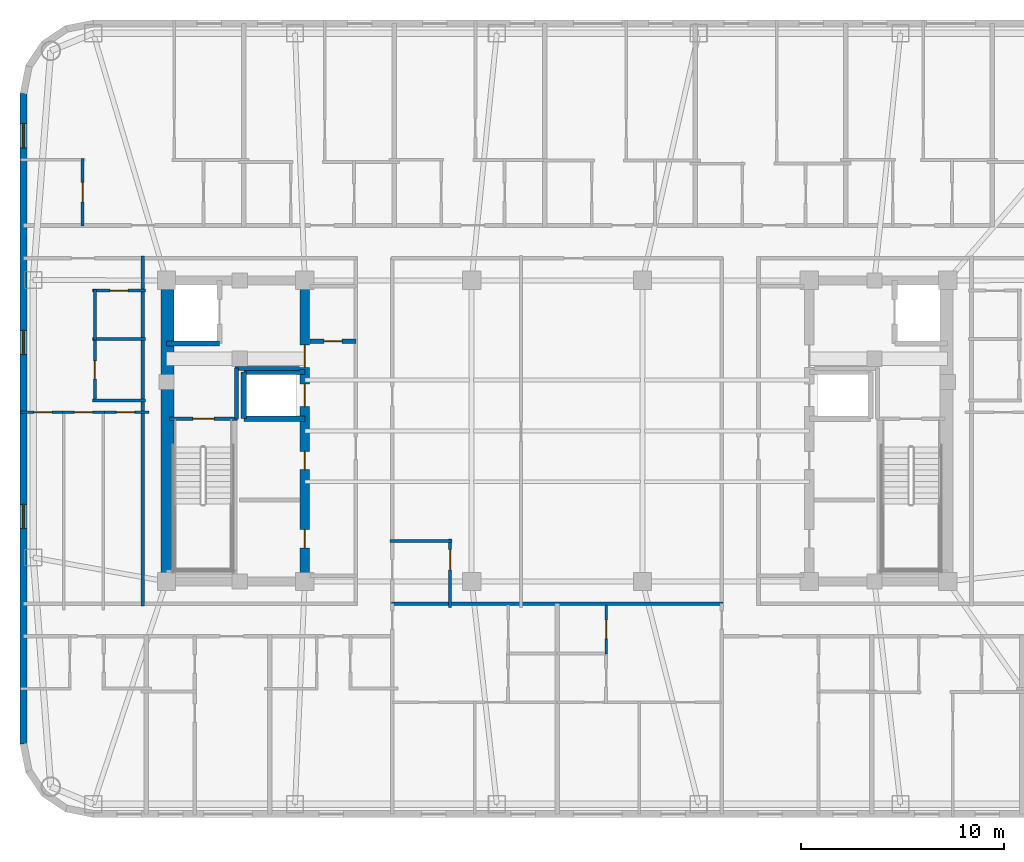
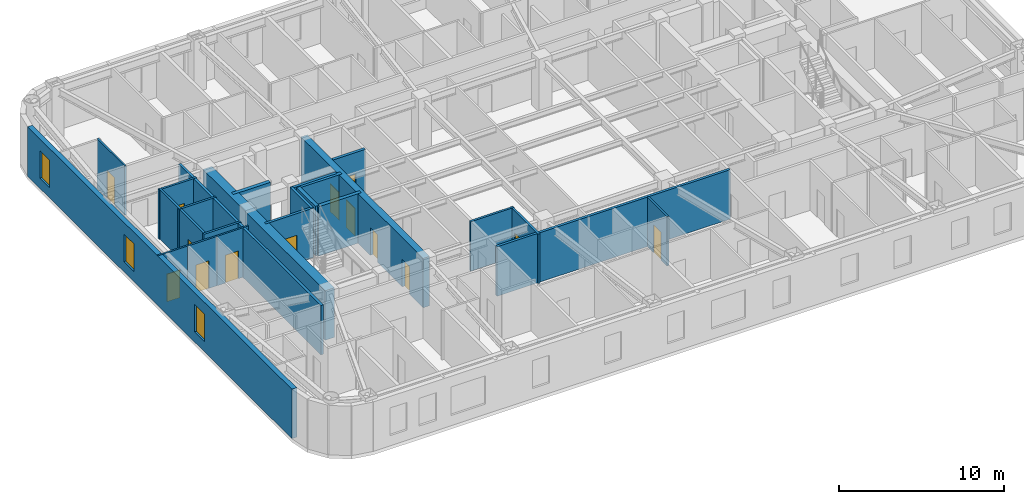
# One storey, part 4 of 11: 25 walls, 14 doors, 3 windows, 17 openings.
"""IFC4 building model written with IfcOpenShell, lengths in metres."""

from ifc_helpers import new_model, si_unit, direction, frame, frame_2d, origin, place, context, subcontext, project, spatial, rectangle, extrude, material, layer, layer_set, type_object, element, fill, save


model = new_model("IFC4")

# Units and contexts
model_context = context("Model", 3, precision=1e-05, world=origin(), true_north=direction((0.0, 1.0)))
body_context = subcontext(model_context, "Body", "Model", "MODEL_VIEW")
ifc_project = project(units=[si_unit("LENGTHUNIT", "METRE"), si_unit("AREAUNIT", "SQUARE_METRE"), si_unit("VOLUMEUNIT", "CUBIC_METRE"), si_unit("PLANEANGLEUNIT", "RADIAN"), si_unit("MASSUNIT", "GRAM", prefix="KILO")], contexts=[model_context])

# Site, building, storey
site_placement = place(None, origin())
site = spatial("IfcSite", under=ifc_project, at=site_placement, CompositionType="ELEMENT")
building_placement = place(site_placement, origin())
building = spatial("IfcBuilding", under=site, at=building_placement, Name="Voryun Gate Residences", CompositionType="ELEMENT")
storey_placement = place(building_placement, frame((0.0, 0.0, 235.300048828125)))
storey = spatial("IfcBuildingStorey", under=building, at=storey_placement, Name="L58", CompositionType="ELEMENT", Elevation=235.300048828125)

# Wall, openings, doors
ifc_material_1 = material(Name="Concrete C50/60", Category="concrete")
ifc_layer_1 = layer(ifc_material_1, 0.449951171875, Name="CW_CORE_450")
ifc_layer_set_1 = layer_set([ifc_layer_1], Name="Concrete C50/60")
wall_type_1 = type_object("IfcWallType", Name="CW_CORE_450", PredefinedType="SHEAR", material=ifc_layer_set_1)
wall_1_placement = place(storey_placement, frame((-12.39990234375, -7.39990234375, 0.0), z_axis=(0.0, 0.0, 1.0), x_axis=(0.0, 1.0, 0.0)))
wall_1 = element("IfcWall", 1, at=wall_1_placement, inside=storey, type_object=wall_type_1, Name="L58 Core shear wall CW-L58-WE", PredefinedType="SHEAR", context=body_context, shape_type="SweptSolid", body=[
    extrude(rectangle(XDim=14.7998046875, YDim=0.449951171875, at=frame_2d((7.39990234375, 0.0))), origin(), (0.0, 0.0, 1.0), 3.64990234375),
])
opening_1_placement = place(wall_1_placement, frame((8.60009765625, 0.0, 0.0)))
opening_1 = element("IfcOpeningElement", 2, at=opening_1_placement, cuts=wall_1, Name="Opening LD2", PredefinedType="OPENING", context=body_context, shape_type="SweptSolid", body=[
    extrude(rectangle(XDim=1.10009765625, YDim=2.050048828125, at=frame_2d((0.550048828125, 1.02490234375))), frame((0.0, 0.235107421875, 0.0), z_axis=(0.0, -1.0, 0.0), x_axis=(1.0, 0.0, 0.0)), (0.0, 0.0, 1.0), 0.469970703125),
])
opening_2_placement = place(wall_1_placement, frame((10.530029296875, 0.0, 0.0)))
opening_2 = element("IfcOpeningElement", 3, at=opening_2_placement, cuts=wall_1, Name="Opening D-FD60-2", PredefinedType="OPENING", context=body_context, shape_type="SweptSolid", body=[
    extrude(rectangle(XDim=1.10009765625, YDim=2.050048828125, at=frame_2d((0.550048828125, 1.02490234375))), frame((0.0, 0.235107421875, 0.0), z_axis=(0.0, -1.0, 0.0), x_axis=(1.0, 0.0, 0.0)), (0.0, 0.0, 1.0), 0.469970703125),
])
opening_3_placement = place(wall_1_placement, frame((1.64990234375, 0.0, 0.0)))
opening_3 = element("IfcOpeningElement", 4, at=opening_3_placement, cuts=wall_1, Name="Opening D-FD60-4", PredefinedType="OPENING", context=body_context, shape_type="SweptSolid", body=[
    extrude(rectangle(XDim=0.89990234375, YDim=2.050048828125, at=frame_2d((0.449951171875, 1.02490234375))), frame((0.0, 0.235107421875, 0.0), z_axis=(0.0, -1.0, 0.0), x_axis=(1.0, 0.0, 0.0)), (0.0, 0.0, 1.0), 0.469970703125),
])
opening_4_placement = place(wall_1_placement, frame((5.5, 0.0, 0.0)))
opening_4 = element("IfcOpeningElement", 5, at=opening_4_placement, cuts=wall_1, Name="Opening D-FD60-4", PredefinedType="OPENING", context=body_context, shape_type="SweptSolid", body=[
    extrude(rectangle(XDim=0.89990234375, YDim=2.050048828125, at=frame_2d((0.449951171875, 1.02490234375))), frame((0.0, 0.235107421875, 0.0), z_axis=(0.0, -1.0, 0.0), x_axis=(1.0, 0.0, 0.0)), (0.0, 0.0, 1.0), 0.469970703125),
])
ifc_material_2 = material(Name="Painted steel fire door", Category="steel")
door_type_1 = type_object("IfcDoorType", Name="DR_FD60_FFLOB_1100", OperationType="NOTDEFINED", PredefinedType="DOOR", material=ifc_material_2)
door_1_placement = place(opening_2_placement, origin())
door_1 = element("IfcDoor", 6, at=door_1_placement, inside=storey, type_object=door_type_1, Name="Door DR-L58-CLOB-W", OperationType="SINGLE_SWING_LEFT", OverallHeight=2.050048828125, OverallWidth=1.10009765625, PredefinedType="DOOR", context=body_context, shape_type="SweptSolid", body=[
    extrude(rectangle(XDim=1.10009765625, YDim=2.050048828125, at=frame_2d((0.550048828125, 1.02490234375))), frame((0.0, 0.02490234375, 0.0), z_axis=(0.0, -1.0, 0.0), x_axis=(1.0, 0.0, 0.0)), (0.0, 0.0, 1.0), 0.050048828125),
])
fill(opening_2, door_1)
ifc_material_3 = material(Name="Painted steel fire door", Category="steel")
door_type_2 = type_object("IfcDoorType", Name="DR_FD60_RISER_900", OperationType="NOTDEFINED", PredefinedType="DOOR", material=ifc_material_3)
door_2_placement = place(opening_3_placement, origin())
door_2 = element("IfcDoor", 7, at=door_2_placement, inside=storey, type_object=door_type_2, Name="Door DR-L58-RECW-HS", OperationType="SINGLE_SWING_LEFT", OverallHeight=2.050048828125, OverallWidth=0.89990234375, PredefinedType="DOOR", context=body_context, shape_type="SweptSolid", body=[
    extrude(rectangle(XDim=0.89990234375, YDim=2.050048828125, at=frame_2d((0.449951171875, 1.02490234375))), frame((0.0, 0.02490234375, 0.0), z_axis=(0.0, -1.0, 0.0), x_axis=(1.0, 0.0, 0.0)), (0.0, 0.0, 1.0), 0.050048828125),
])
fill(opening_3, door_2)
door_3_placement = place(opening_4_placement, origin())
door_3 = element("IfcDoor", 8, at=door_3_placement, inside=storey, type_object=door_type_2, Name="Door DR-L58-RECW-HN", OperationType="SINGLE_SWING_RIGHT", OverallHeight=2.050048828125, OverallWidth=0.89990234375, PredefinedType="DOOR", context=body_context, shape_type="SweptSolid", body=[
    extrude(rectangle(XDim=0.89990234375, YDim=2.050048828125, at=frame_2d((0.449951171875, 1.02490234375))), frame((0.0, 0.02490234375, 0.0), z_axis=(0.0, -1.0, 0.0), x_axis=(1.0, 0.0, 0.0)), (0.0, 0.0, 1.0), 0.050048828125),
])
fill(opening_4, door_3)
ifc_material_4 = material(Name="Anodised aluminium", Category="aluminium")
door_type_3 = type_object("IfcDoorType", Name="DR_LD_PASS_1100", OperationType="NOTDEFINED", PredefinedType="DOOR", material=ifc_material_4)
door_4_placement = place(opening_1_placement, origin())
door_4 = element("IfcDoor", 9, at=door_4_placement, inside=storey, type_object=door_type_3, Name="Lift EL-P7 sliding landing door L58", OperationType="SLIDING_TO_LEFT", OverallHeight=2.050048828125, OverallWidth=1.10009765625, PredefinedType="DOOR", context=body_context, shape_type="SweptSolid", body=[
    extrude(rectangle(XDim=1.10009765625, YDim=2.050048828125, at=frame_2d((0.550048828125, 1.02490234375))), frame((0.0, 0.02490234375, 0.0), z_axis=(0.0, -1.0, 0.0), x_axis=(1.0, 0.0, 0.0)), (0.0, 0.0, 1.0), 0.050048828125),
])
fill(opening_1, door_4)

# Wall
ifc_material_5 = material(Name="Concrete C60/75", Category="concrete")
ifc_layer_2 = layer(ifc_material_5, 0.64990234375, Name="CW_CORE_650")
ifc_layer_set_2 = layer_set([ifc_layer_2], Name="Concrete C60/75")
wall_type_2 = type_object("IfcWallType", Name="CW_CORE_650", PredefinedType="SHEAR", material=ifc_layer_set_2)
wall_2_placement = place(storey_placement, frame((-19.14501953125, -7.39990234375, 0.0), z_axis=(0.0, 0.0, 1.0), x_axis=(0.0, 1.0, 0.0)))
element("IfcWall", 10, at=wall_2_placement, inside=storey, type_object=wall_type_2, Name="L58 Core shear wall CW-L58-WW", PredefinedType="SHEAR", context=body_context, shape_type="SweptSolid", body=[
    extrude(rectangle(XDim=14.7998046875, YDim=0.64990234375, at=frame_2d((7.39990234375, 0.0))), origin(), (0.0, 0.0, 1.0), 3.64990234375),
])

# Wall, opening, door
ifc_material_6 = material(Name="Gypsum acoustic fireboard")
ifc_layer_3 = layer(ifc_material_6, 0.179931640625, Name="W_CORR_RATED_180")
ifc_layer_set_3 = layer_set([ifc_layer_3], Name="Gypsum acoustic fireboard")
wall_type_3 = type_object("IfcWallType", Name="W_CORR_RATED_180", PredefinedType="PARTITIONING", material=ifc_layer_set_3)
wall_3_placement = place(storey_placement, frame((-19.06005859375, 0.60009765625, 0.0), z_axis=(0.0, 0.0, 1.0), x_axis=(1.0, 0.0, 0.0)))
wall_3 = element("IfcWall", 11, at=wall_3_placement, inside=storey, type_object=wall_type_3, Name="Partition wall WP-L58-STV-W", PredefinedType="PARTITIONING", context=body_context, shape_type="SweptSolid", body=[
    extrude(rectangle(XDim=3.360107421875, YDim=0.179931640625, at=frame_2d((1.68017578125, 0.0))), origin(), (0.0, 0.0, 1.0), 3.64990234375),
])
opening_5_placement = place(wall_3_placement, frame((1.155029296875, 0.0, 0.0)))
opening_5 = element("IfcOpeningElement", 12, at=opening_5_placement, cuts=wall_3, Name="Opening D-FD60-1", PredefinedType="OPENING", context=body_context, shape_type="SweptSolid", body=[
    extrude(rectangle(XDim=1.050048828125, YDim=2.050048828125, at=frame_2d((0.52490234375, 1.02490234375))), frame((0.0, 0.099853515625, 0.0), z_axis=(0.0, -1.0, 0.0), x_axis=(1.0, 0.0, 0.0)), (0.0, 0.0, 1.0), 0.199951171875),
])
ifc_material_7 = material(Name="Painted steel fire door", Category="steel")
door_type_4 = type_object("IfcDoorType", Name="DR_FD60_STAIR_1050", OperationType="NOTDEFINED", PredefinedType="DOOR", material=ifc_material_7)
door_5_placement = place(opening_5_placement, origin())
door_5 = element("IfcDoor", 13, at=door_5_placement, inside=storey, type_object=door_type_4, Name="Door DR-L58-ST-W", OperationType="SINGLE_SWING_LEFT", OverallHeight=2.050048828125, OverallWidth=1.050048828125, PredefinedType="DOOR", context=body_context, shape_type="SweptSolid", body=[
    extrude(rectangle(XDim=1.050048828125, YDim=2.050048828125, at=frame_2d((0.52490234375, 1.02490234375))), frame((0.0, 0.02490234375, 0.0), z_axis=(0.0, -1.0, 0.0), x_axis=(1.0, 0.0, 0.0)), (0.0, 0.0, 1.0), 0.050048828125),
])
fill(opening_5, door_5)

# Walls
wall_4_placement = place(storey_placement, frame((-8.14990234375, -8.489990234375, 0.0), z_axis=(0.0, 0.0, 1.0), x_axis=(1.0, 0.0, 0.0)))
element("IfcWall", 14, at=wall_4_placement, inside=storey, type_object=wall_type_3, Name="Partition wall WP-L58-Z3S", PredefinedType="PARTITIONING", context=body_context, shape_type="SweptSolid", body=[
    extrude(rectangle(XDim=16.2998046875, YDim=0.179931640625, at=frame_2d((8.14990234375, 0.0))), origin(), (0.0, 0.0, 1.0), 3.64990234375),
])
wall_5_placement = place(storey_placement, frame((-20.3701171875, -8.610107421875, 0.0), z_axis=(0.0, 0.0, 1.0), x_axis=(0.0, 1.0, 0.0)))
element("IfcWall", 15, at=wall_5_placement, inside=storey, type_object=wall_type_3, Name="Partition wall WP-L58-WCOR", PredefinedType="PARTITIONING", context=body_context, shape_type="SweptSolid", body=[
    extrude(rectangle(XDim=17.22021484375, YDim=0.179931640625, at=frame_2d((8.610107421875, 0.0))), origin(), (0.0, 0.0, 1.0), 3.64990234375),
])

# Wall, openings, windows
ifc_material_8 = material(Name="Charcoal terracotta masonry", Category="masonry")
ifc_layer_4 = layer(ifc_material_8, 0.340087890625, Name="W_EXT_TERRACOTTA_340")
ifc_layer_set_4 = layer_set([ifc_layer_4], Name="Charcoal terracotta masonry")
wall_type_4 = type_object("IfcWallType", Name="W_EXT_TERRACOTTA_340", PredefinedType="ELEMENTEDWALL", material=ifc_layer_set_4)
wall_6_placement = place(storey_placement, frame((-26.22998046875, -15.38330078125, 0.0), z_axis=(0.0, 0.0, 1.0), x_axis=(0.0, 1.0, 0.0)))
wall_6 = element("IfcWall", 16, at=wall_6_placement, inside=storey, type_object=wall_type_4, Name="Exterior wall WEXT-L58-06", PredefinedType="ELEMENTEDWALL", context=body_context, shape_type="SweptSolid", body=[
    extrude(rectangle(XDim=31.966552734375, YDim=0.340087890625, at=frame_2d((15.9833984375, 0.0))), origin(), (0.0, 0.0, 1.0), 3.64990234375),
])
opening_6_placement = place(wall_6_placement, frame((29.289794921875, 0.0, 0.75)))
opening_6 = element("IfcOpeningElement", 17, at=opening_6_placement, cuts=wall_6, Name="Opening WN6", PredefinedType="OPENING", context=body_context, shape_type="SweptSolid", body=[
    extrude(rectangle(XDim=1.199951171875, YDim=2.050048828125, at=frame_2d((0.60009765625, 1.02490234375))), frame((0.0, 0.179931640625, 0.0), z_axis=(0.0, -1.0, 0.0), x_axis=(1.0, 0.0, 0.0)), (0.0, 0.0, 1.0), 0.360107421875),
])
opening_7_placement = place(wall_6_placement, frame((19.12841796875, 0.0, 0.75)))
opening_7 = element("IfcOpeningElement", 18, at=opening_7_placement, cuts=wall_6, Name="Opening WN6", PredefinedType="OPENING", context=body_context, shape_type="SweptSolid", body=[
    extrude(rectangle(XDim=1.199951171875, YDim=2.050048828125, at=frame_2d((0.60009765625, 1.02490234375))), frame((0.0, 0.179931640625, 0.0), z_axis=(0.0, -1.0, 0.0), x_axis=(1.0, 0.0, 0.0)), (0.0, 0.0, 1.0), 0.360107421875),
])
opening_8_placement = place(wall_6_placement, frame((10.578369140625, 0.0, 0.75)))
opening_8 = element("IfcOpeningElement", 19, at=opening_8_placement, cuts=wall_6, Name="Opening WN6", PredefinedType="OPENING", context=body_context, shape_type="SweptSolid", body=[
    extrude(rectangle(XDim=1.199951171875, YDim=2.050048828125, at=frame_2d((0.60009765625, 1.02490234375))), frame((0.0, 0.179931640625, 0.0), z_axis=(0.0, -1.0, 0.0), x_axis=(1.0, 0.0, 0.0)), (0.0, 0.0, 1.0), 0.360107421875),
])
ifc_material_9 = material(Name="Laminated low-E glass", Category="glass")
window_type = type_object("IfcWindowType", Name="WN_POD_SLOT_1200", PartitioningType="SINGLE_PANEL", PredefinedType="WINDOW", material=ifc_material_9)
window_1_placement = place(opening_6_placement, origin())
window_1 = element("IfcWindow", 20, at=window_1_placement, inside=storey, type_object=window_type, Name="Window WN-L58-DWFIX-01", OverallHeight=2.050048828125, OverallWidth=1.199951171875, PartitioningType="SINGLE_PANEL", PredefinedType="WINDOW", context=body_context, shape_type="SweptSolid", body=[
    extrude(rectangle(XDim=1.199951171875, YDim=2.050048828125, at=frame_2d((0.60009765625, 1.02490234375))), frame((0.0, 0.030029296875, 0.0), z_axis=(0.0, -1.0, 0.0), x_axis=(1.0, 0.0, 0.0)), (0.0, 0.0, 1.0), 0.06005859375),
])
fill(opening_6, window_1)
window_2_placement = place(opening_7_placement, origin())
window_2 = element("IfcWindow", 21, at=window_2_placement, inside=storey, type_object=window_type, Name="Window WN-L58-DWFIX-24", OverallHeight=2.050048828125, OverallWidth=1.199951171875, PartitioningType="SINGLE_PANEL", PredefinedType="WINDOW", context=body_context, shape_type="SweptSolid", body=[
    extrude(rectangle(XDim=1.199951171875, YDim=2.050048828125, at=frame_2d((0.60009765625, 1.02490234375))), frame((0.0, 0.030029296875, 0.0), z_axis=(0.0, -1.0, 0.0), x_axis=(1.0, 0.0, 0.0)), (0.0, 0.0, 1.0), 0.06005859375),
])
fill(opening_7, window_2)
window_3_placement = place(opening_8_placement, origin())
window_3 = element("IfcWindow", 22, at=window_3_placement, inside=storey, type_object=window_type, Name="Window WN-L58-DWFIX-25", OverallHeight=2.050048828125, OverallWidth=1.199951171875, PartitioningType="SINGLE_PANEL", PredefinedType="WINDOW", context=body_context, shape_type="SweptSolid", body=[
    extrude(rectangle(XDim=1.199951171875, YDim=2.050048828125, at=frame_2d((0.60009765625, 1.02490234375))), frame((0.0, 0.030029296875, 0.0), z_axis=(0.0, -1.0, 0.0), x_axis=(1.0, 0.0, 0.0)), (0.0, 0.0, 1.0), 0.06005859375),
])
fill(opening_8, window_3)

# Walls
ifc_material_10 = material(Name="Concrete C40/50", Category="concrete")
ifc_layer_5 = layer(ifc_material_10, 0.199951171875, Name="W_FF_LOBBY_200")
ifc_layer_set_5 = layer_set([ifc_layer_5], Name="Concrete C40/50")
wall_type_5 = type_object("IfcWallType", Name="W_FF_LOBBY_200", PredefinedType="PARTITIONING", material=ifc_layer_set_5)
wall_7_placement = place(storey_placement, frame((-15.760009765625, 0.580078125, 0.0), z_axis=(0.0, 0.0, 1.0), x_axis=(0.0, 1.0, 0.0)))
element("IfcWall", 23, at=wall_7_placement, inside=storey, type_object=wall_type_5, Name="Partition wall WP-L58-FFP0-W", PredefinedType="PARTITIONING", context=body_context, shape_type="SweptSolid", body=[
    extrude(rectangle(XDim=2.52001953125, YDim=0.199951171875, at=frame_2d((1.260009765625, 0.0))), origin(), (0.0, 0.0, 1.0), 3.64990234375),
])
wall_8_placement = place(storey_placement, frame((-15.820068359375, 3.06005859375, 0.0), z_axis=(0.0, 0.0, 1.0), x_axis=(1.0, 0.0, 0.0)))
element("IfcWall", 24, at=wall_8_placement, inside=storey, type_object=wall_type_5, Name="Partition wall WP-L58-FFPS-W", PredefinedType="PARTITIONING", context=body_context, shape_type="SweptSolid", body=[
    extrude(rectangle(XDim=3.16015625, YDim=0.199951171875, at=frame_2d((1.580078125, 0.0))), origin(), (0.0, 0.0, 1.0), 3.64990234375),
])

# Wall, opening, door
wall_9_placement = place(storey_placement, frame((-12.14990234375, 4.409912109375, 0.0), z_axis=(0.0, 0.0, 1.0), x_axis=(1.0, 0.0, 0.0)))
wall_9 = element("IfcWall", 25, at=wall_9_placement, inside=storey, type_object=wall_type_5, Name="Partition wall WP-L58-CSFLKS-W", PredefinedType="PARTITIONING", context=body_context, shape_type="SweptSolid", body=[
    extrude(rectangle(XDim=2.27001953125, YDim=0.199951171875, at=frame_2d((1.135009765625, 0.0))), origin(), (0.0, 0.0, 1.0), 3.64990234375),
])
opening_9_placement = place(wall_9_placement, frame((0.68505859375, 0.0, 0.0)))
opening_9 = element("IfcOpeningElement", 26, at=opening_9_placement, cuts=wall_9, Name="Opening D-FD60-4", PredefinedType="OPENING", context=body_context, shape_type="SweptSolid", body=[
    extrude(rectangle(XDim=0.89990234375, YDim=2.050048828125, at=frame_2d((0.449951171875, 1.02490234375))), frame((0.0, 0.110107421875, 0.0), z_axis=(0.0, -1.0, 0.0), x_axis=(1.0, 0.0, 0.0)), (0.0, 0.0, 1.0), 0.219970703125),
])
door_6_placement = place(opening_9_placement, origin())
door_6 = element("IfcDoor", 27, at=door_6_placement, inside=storey, type_object=door_type_2, Name="Door DR-L58-CSFLK-W", OperationType="SINGLE_SWING_LEFT", OverallHeight=2.050048828125, OverallWidth=0.89990234375, PredefinedType="DOOR", context=body_context, shape_type="SweptSolid", body=[
    extrude(rectangle(XDim=0.89990234375, YDim=2.050048828125, at=frame_2d((0.449951171875, 1.02490234375))), frame((0.0, 0.02490234375, 0.0), z_axis=(0.0, -1.0, 0.0), x_axis=(1.0, 0.0, 0.0)), (0.0, 0.0, 1.0), 0.050048828125),
])
fill(opening_9, door_6)

# Walls
ifc_material_11 = material(Name="Concrete C50/60", Category="concrete")
ifc_layer_6 = layer(ifc_material_11, 0.25, Name="W_SHAFT_RC250")
ifc_layer_set_6 = layer_set([ifc_layer_6], Name="Concrete C50/60")
wall_type_6 = type_object("IfcWallType", Name="W_SHAFT_RC250", PredefinedType="SOLIDWALL", material=ifc_layer_set_6)
wall_10_placement = place(storey_placement, frame((-19.199951171875, 4.300048828125, 0.0), z_axis=(0.0, 0.0, 1.0), x_axis=(1.0, 0.0, 0.0)))
element("IfcWall", 28, at=wall_10_placement, inside=storey, type_object=wall_type_6, Name="Lift shaft wall WSH-L58-EL-FF-W1-S", PredefinedType="SOLIDWALL", context=body_context, shape_type="SweptSolid", body=[
    extrude(rectangle(XDim=2.599853515625, YDim=0.25, at=frame_2d((1.2998046875, 0.0))), origin(), (0.0, 0.0, 1.0), 3.64990234375),
])
for number, where, z_axis, x_axis, name in (
    (29, (-15.39990234375, 0.60009765625, 0.0), (0.0, 0.0, 1.0), (1.0, 0.0, 0.0), "Lift shaft wall WSH-L58-EL-P7-S"),
    (30, (-12.39990234375, 2.89990234375, 0.0), (0.0, 0.0, 1.0), (-1.0, 0.0, 0.0), "Lift shaft wall WSH-L58-EL-P7-N"),
):
    element("IfcWall", number, at=place(storey_placement, frame(where, z_axis=z_axis, x_axis=x_axis)), inside=storey, type_object=wall_type_6, Name=name, PredefinedType="SOLIDWALL", context=body_context, shape_type="SweptSolid", body=[
        extrude(rectangle(XDim=3.0, YDim=0.25, at=frame_2d((1.5, 0.0))), origin(), (0.0, 0.0, 1.0), 3.64990234375),
    ])
wall_11_placement = place(storey_placement, frame((-15.39990234375, 2.89990234375, 0.0), z_axis=(0.0, 0.0, 1.0), x_axis=(0.0, -1.0, 0.0)))
element("IfcWall", 31, at=wall_11_placement, inside=storey, type_object=wall_type_6, Name="Lift shaft wall WSH-L58-EL-P7-W", PredefinedType="SOLIDWALL", context=body_context, shape_type="SweptSolid", body=[
    extrude(rectangle(XDim=2.2998046875, YDim=0.25, at=frame_2d((1.14990234375, 0.0))), origin(), (0.0, 0.0, 1.0), 3.64990234375),
])

# Wall, opening, door
ifc_material_12 = material(Name="Gypsum acoustic partition")
ifc_layer_7 = layer(ifc_material_12, 0.125, Name="W_UNIT_PART_125")
ifc_layer_set_7 = layer_set([ifc_layer_7], Name="Gypsum acoustic partition")
wall_type_7 = type_object("IfcWallType", Name="W_UNIT_PART_125", PredefinedType="PARTITIONING", material=ifc_layer_set_7)
wall_12_placement = place(storey_placement, frame((-23.326904296875, 10.080078125, 0.0), z_axis=(0.0, 0.0, 1.0), x_axis=(0.0, 1.0, 0.0)))
wall_12 = element("IfcWall", 32, at=wall_12_placement, inside=storey, type_object=wall_type_7, Name="Partition wall WP-L58-N1-IVK", PredefinedType="PARTITIONING", context=body_context, shape_type="SweptSolid", body=[
    extrude(rectangle(XDim=3.31982421875, YDim=0.125, at=frame_2d((1.659912109375, 0.0))), origin(), (0.0, 0.0, 1.0), 3.64990234375),
])
opening_10_placement = place(wall_12_placement, frame((1.18505859375, 0.0, 0.0)))
opening_10 = element("IfcOpeningElement", 33, at=opening_10_placement, cuts=wall_12, Name="Opening D-INT-1", PredefinedType="OPENING", context=body_context, shape_type="SweptSolid", body=[
    extrude(rectangle(XDim=0.949951171875, YDim=2.050048828125, at=frame_2d((0.47509765625, 1.02490234375))), frame((0.0, 0.072509765625, 0.0), z_axis=(0.0, -1.0, 0.0), x_axis=(1.0, 0.0, 0.0)), (0.0, 0.0, 1.0), 0.14501953125),
])
ifc_material_13 = material(Name="Architectural oak veneer")
door_type_5 = type_object("IfcDoorType", Name="DR_INT_ROOM_950", OperationType="NOTDEFINED", PredefinedType="DOOR", material=ifc_material_13)
door_7_placement = place(opening_10_placement, origin())
door_7 = element("IfcDoor", 34, at=door_7_placement, inside=storey, type_object=door_type_5, Name="Door DR-L58-N1-DK", OperationType="SINGLE_SWING_LEFT", OverallHeight=2.050048828125, OverallWidth=0.949951171875, PredefinedType="DOOR", context=body_context, shape_type="SweptSolid", body=[
    extrude(rectangle(XDim=0.949951171875, YDim=2.050048828125, at=frame_2d((0.47509765625, 1.02490234375))), frame((0.0, 0.02490234375, 0.0), z_axis=(0.0, -1.0, 0.0), x_axis=(1.0, 0.0, 0.0)), (0.0, 0.0, 1.0), 0.050048828125),
])
fill(opening_10, door_7)

wall_13_placement = place(storey_placement, frame((2.409912109375, -10.9599609375, 0.0), z_axis=(0.0, 0.0, 1.0), x_axis=(0.0, 1.0, 0.0)))
wall_13 = element("IfcWall", 35, at=wall_13_placement, inside=storey, type_object=wall_type_7, Name="Partition wall WP-L58-SC2-VK1", PredefinedType="PARTITIONING", context=body_context, shape_type="SweptSolid", body=[
    extrude(rectangle(XDim=2.409912109375, YDim=0.125, at=frame_2d((1.205078125, 0.0))), origin(), (0.0, 0.0, 1.0), 3.64990234375),
])
opening_11_placement = place(wall_13_placement, frame((0.7548828125, 0.0, 0.0)))
opening_11 = element("IfcOpeningElement", 36, at=opening_11_placement, cuts=wall_13, Name="Opening D-INT-2", PredefinedType="OPENING", context=body_context, shape_type="SweptSolid", body=[
    extrude(rectangle(XDim=0.89990234375, YDim=2.050048828125, at=frame_2d((0.449951171875, 1.02490234375))), frame((0.0, 0.072509765625, 0.0), z_axis=(0.0, -1.0, 0.0), x_axis=(1.0, 0.0, 0.0)), (0.0, 0.0, 1.0), 0.14501953125),
])
ifc_material_14 = material(Name="Architectural oak veneer")
door_type_6 = type_object("IfcDoorType", Name="DR_INT_BATH_900", OperationType="NOTDEFINED", PredefinedType="DOOR", material=ifc_material_14)
door_8_placement = place(opening_11_placement, origin())
door_8 = element("IfcDoor", 37, at=door_8_placement, inside=storey, type_object=door_type_6, Name="Door DR-L58-SC2-DK", OperationType="SINGLE_SWING_LEFT", OverallHeight=2.050048828125, OverallWidth=0.89990234375, PredefinedType="DOOR", context=body_context, shape_type="SweptSolid", body=[
    extrude(rectangle(XDim=0.89990234375, YDim=2.050048828125, at=frame_2d((0.449951171875, 1.02490234375))), frame((0.0, 0.02490234375, 0.0), z_axis=(0.0, -1.0, 0.0), x_axis=(1.0, 0.0, 0.0)), (0.0, 0.0, 1.0), 0.050048828125),
])
fill(opening_11, door_8)

wall_14_placement = place(storey_placement, frame((-26.3798828125, 0.909912109375, 0.0), z_axis=(0.0, 0.0, 1.0), x_axis=(1.0, 0.0, 0.0)))
wall_14 = element("IfcWall", 38, at=wall_14_placement, inside=storey, type_object=wall_type_7, Name="Partition wall WP-L58-W1-HZMB1", PredefinedType="PARTITIONING", context=body_context, shape_type="SweptSolid", body=[
    extrude(rectangle(XDim=2.200439453125, YDim=0.125, at=frame_2d((1.10009765625, 0.0))), origin(), (0.0, 0.0, 1.0), 3.64990234375),
])
opening_12_placement = place(wall_14_placement, frame((0.658935546875, 0.0, 0.0)))
opening_12 = element("IfcOpeningElement", 39, at=opening_12_placement, cuts=wall_14, Name="Opening D-INT-2", PredefinedType="OPENING", context=body_context, shape_type="SweptSolid", body=[
    extrude(rectangle(XDim=0.89990234375, YDim=2.050048828125, at=frame_2d((0.449951171875, 1.02490234375))), frame((0.0, 0.072509765625, 0.0), z_axis=(0.0, -1.0, 0.0), x_axis=(1.0, 0.0, 0.0)), (0.0, 0.0, 1.0), 0.14501953125),
])
door_9_placement = place(opening_12_placement, origin())
door_9 = element("IfcDoor", 40, at=door_9_placement, inside=storey, type_object=door_type_6, Name="Door DR-L58-W1-DMB", OperationType="SINGLE_SWING_LEFT", OverallHeight=2.050048828125, OverallWidth=0.89990234375, PredefinedType="DOOR", context=body_context, shape_type="SweptSolid", body=[
    extrude(rectangle(XDim=0.89990234375, YDim=2.050048828125, at=frame_2d((0.449951171875, 1.02490234375))), frame((0.0, 0.02490234375, 0.0), z_axis=(0.0, -1.0, 0.0), x_axis=(1.0, 0.0, 0.0)), (0.0, 0.0, 1.0), 0.050048828125),
])
fill(opening_12, door_9)

wall_15_placement = place(storey_placement, frame((-24.304443359375, 0.909912109375, 0.0), z_axis=(0.0, 0.0, 1.0), x_axis=(1.0, 0.0, 0.0)))
wall_15 = element("IfcWall", 41, at=wall_15_placement, inside=storey, type_object=wall_type_7, Name="Partition wall WP-L58-W1-HZMB2", PredefinedType="PARTITIONING", context=body_context, shape_type="SweptSolid", body=[
    extrude(rectangle(XDim=2.06103515625, YDim=0.125, at=frame_2d((1.030517578125, 0.0))), origin(), (0.0, 0.0, 1.0), 3.64990234375),
])
opening_13_placement = place(wall_15_placement, frame((0.58056640625, 0.0, 0.0)))
opening_13 = element("IfcOpeningElement", 42, at=opening_13_placement, cuts=wall_15, Name="Opening D-INT-2", PredefinedType="OPENING", context=body_context, shape_type="SweptSolid", body=[
    extrude(rectangle(XDim=0.89990234375, YDim=2.050048828125, at=frame_2d((0.449951171875, 1.02490234375))), frame((0.0, 0.072509765625, 0.0), z_axis=(0.0, -1.0, 0.0), x_axis=(1.0, 0.0, 0.0)), (0.0, 0.0, 1.0), 0.14501953125),
])
door_10_placement = place(opening_13_placement, origin())
door_10 = element("IfcDoor", 43, at=door_10_placement, inside=storey, type_object=door_type_6, Name="Door DR-L58-W1-DBD2", OperationType="SINGLE_SWING_RIGHT", OverallHeight=2.050048828125, OverallWidth=0.89990234375, PredefinedType="DOOR", context=body_context, shape_type="SweptSolid", body=[
    extrude(rectangle(XDim=0.89990234375, YDim=2.050048828125, at=frame_2d((0.449951171875, 1.02490234375))), frame((0.0, 0.02490234375, 0.0), z_axis=(0.0, -1.0, 0.0), x_axis=(1.0, 0.0, 0.0)), (0.0, 0.0, 1.0), 0.050048828125),
])
fill(opening_13, door_10)

wall_16_placement = place(storey_placement, frame((-22.368408203125, 0.909912109375, 0.0), z_axis=(0.0, 0.0, 1.0), x_axis=(1.0, 0.0, 0.0)))
wall_16 = element("IfcWall", 44, at=wall_16_placement, inside=storey, type_object=wall_type_7, Name="Partition wall WP-L58-W1-HZMB3", PredefinedType="PARTITIONING", context=body_context, shape_type="SweptSolid", body=[
    extrude(rectangle(XDim=2.318359375, YDim=0.125, at=frame_2d((1.1591796875, 0.0))), origin(), (0.0, 0.0, 1.0), 3.64990234375),
])
opening_14_placement = place(wall_16_placement, frame((0.700439453125, 0.0, 0.0)))
opening_14 = element("IfcOpeningElement", 45, at=opening_14_placement, cuts=wall_16, Name="Opening D-INT-2", PredefinedType="OPENING", context=body_context, shape_type="SweptSolid", body=[
    extrude(rectangle(XDim=0.89990234375, YDim=2.050048828125, at=frame_2d((0.449951171875, 1.02490234375))), frame((0.0, 0.072509765625, 0.0), z_axis=(0.0, -1.0, 0.0), x_axis=(1.0, 0.0, 0.0)), (0.0, 0.0, 1.0), 0.14501953125),
])
door_11_placement = place(opening_14_placement, origin())
door_11 = element("IfcDoor", 46, at=door_11_placement, inside=storey, type_object=door_type_6, Name="Door DR-L58-W1-DBD3", OperationType="SINGLE_SWING_LEFT", OverallHeight=2.050048828125, OverallWidth=0.89990234375, PredefinedType="DOOR", context=body_context, shape_type="SweptSolid", body=[
    extrude(rectangle(XDim=0.89990234375, YDim=2.050048828125, at=frame_2d((0.449951171875, 1.02490234375))), frame((0.0, 0.02490234375, 0.0), z_axis=(0.0, -1.0, 0.0), x_axis=(1.0, 0.0, 0.0)), (0.0, 0.0, 1.0), 0.050048828125),
])
fill(opening_14, door_11)

ifc_material_15 = material(Name="Gypsum moisture-resistant partition")
ifc_layer_8 = layer(ifc_material_15, 0.14990234375, Name="W_WET_PLUMB_150")
ifc_layer_set_8 = layer_set([ifc_layer_8], Name="Gypsum moisture-resistant partition")
wall_type_8 = type_object("IfcWallType", Name="W_WET_PLUMB_150", PredefinedType="PLUMBINGWALL", material=ifc_layer_set_8)
wall_17_placement = place(storey_placement, frame((-5.260009765625, -8.669921875, 0.0), z_axis=(0.0, 0.0, 1.0), x_axis=(0.0, 1.0, 0.0)))
wall_17 = element("IfcWall", 47, at=wall_17_placement, inside=storey, type_object=wall_type_8, Name="Partition wall WP-L58-CMWCX", PredefinedType="PLUMBINGWALL", context=body_context, shape_type="SweptSolid", body=[
    extrude(rectangle(XDim=3.349853515625, YDim=0.14990234375, at=frame_2d((1.6748046875, 0.0))), origin(), (0.0, 0.0, 1.0), 3.64990234375),
])
opening_15_placement = place(wall_17_placement, frame((1.8349609375, 0.0, 0.0)))
opening_15 = element("IfcOpeningElement", 48, at=opening_15_placement, cuts=wall_17, Name="Opening D-AWC-1", PredefinedType="OPENING", context=body_context, shape_type="SweptSolid", body=[
    extrude(rectangle(XDim=1.0, YDim=2.050048828125, at=frame_2d((0.5, 1.02490234375))), frame((0.0, 0.0849609375, 0.0), z_axis=(0.0, -1.0, 0.0), x_axis=(1.0, 0.0, 0.0)), (0.0, 0.0, 1.0), 0.169921875),
])
ifc_material_16 = material(Name="Architectural oak veneer")
door_type_7 = type_object("IfcDoorType", Name="DR_ACC_WC_1000", OperationType="NOTDEFINED", PredefinedType="DOOR", material=ifc_material_16)
door_12_placement = place(opening_15_placement, origin())
door_12 = element("IfcDoor", 49, at=door_12_placement, inside=storey, type_object=door_type_7, Name="Door DR-L58-CMWC", OperationType="SINGLE_SWING_LEFT", OverallHeight=2.050048828125, OverallWidth=1.0, PredefinedType="DOOR", context=body_context, shape_type="SweptSolid", body=[
    extrude(rectangle(XDim=1.0, YDim=2.050048828125, at=frame_2d((0.5, 1.02490234375))), frame((0.0, 0.02490234375, 0.0), z_axis=(0.0, -1.0, 0.0), x_axis=(1.0, 0.0, 0.0)), (0.0, 0.0, 1.0), 0.050048828125),
])
fill(opening_15, door_12)

# Wall
wall_18_placement = place(storey_placement, frame((-8.2099609375, -5.419921875, 0.0), z_axis=(0.0, 0.0, 1.0), x_axis=(1.0, 0.0, 0.0)))
element("IfcWall", 50, at=wall_18_placement, inside=storey, type_object=wall_type_8, Name="Partition wall WP-L58-CMWCY", PredefinedType="PLUMBINGWALL", context=body_context, shape_type="SweptSolid", body=[
    extrude(rectangle(XDim=3.050048828125, YDim=0.14990234375, at=frame_2d((1.52490234375, 0.0))), origin(), (0.0, 0.0, 1.0), 3.64990234375),
])

# Wall, opening, door
wall_19_placement = place(storey_placement, frame((-22.840087890625, 6.89990234375, 0.0), z_axis=(0.0, 0.0, 1.0), x_axis=(1.0, 0.0, 0.0)))
wall_19 = element("IfcWall", 51, at=wall_19_placement, inside=storey, type_object=wall_type_8, Name="Partition wall WP-L58-W1-IBT", PredefinedType="PLUMBINGWALL", context=body_context, shape_type="SweptSolid", body=[
    extrude(rectangle(XDim=2.6201171875, YDim=0.14990234375, at=frame_2d((1.31005859375, 0.0))), origin(), (0.0, 0.0, 1.0), 3.64990234375),
])
opening_16_placement = place(wall_19_placement, frame((0.860107421875, 0.0, 0.0)))
opening_16 = element("IfcOpeningElement", 52, at=opening_16_placement, cuts=wall_19, Name="Opening D-INT-2", PredefinedType="OPENING", context=body_context, shape_type="SweptSolid", body=[
    extrude(rectangle(XDim=0.89990234375, YDim=2.050048828125, at=frame_2d((0.449951171875, 1.02490234375))), frame((0.0, 0.0849609375, 0.0), z_axis=(0.0, -1.0, 0.0), x_axis=(1.0, 0.0, 0.0)), (0.0, 0.0, 1.0), 0.169921875),
])
door_13_placement = place(opening_16_placement, origin())
door_13 = element("IfcDoor", 53, at=door_13_placement, inside=storey, type_object=door_type_6, Name="Door DR-L58-W1-DK", OperationType="SINGLE_SWING_LEFT", OverallHeight=2.050048828125, OverallWidth=0.89990234375, PredefinedType="DOOR", context=body_context, shape_type="SweptSolid", body=[
    extrude(rectangle(XDim=0.89990234375, YDim=2.050048828125, at=frame_2d((0.449951171875, 1.02490234375))), frame((0.0, 0.02490234375, 0.0), z_axis=(0.0, -1.0, 0.0), x_axis=(1.0, 0.0, 0.0)), (0.0, 0.0, 1.0), 0.050048828125),
])
fill(opening_16, door_13)

# Walls
for number, where, z_axis, x_axis, name in (
    (54, (-22.840087890625, 4.52001953125, 0.0), (0.0, 0.0, 1.0), (1.0, 0.0, 0.0), "Partition wall WP-L58-W1-IKB"),
    (55, (-22.840087890625, 1.5, 0.0), (0.0, 0.0, 1.0), (1.0, 0.0, 0.0), "Partition wall WP-L58-W1-IBB"),
):
    element("IfcWall", number, at=place(storey_placement, frame(where, z_axis=z_axis, x_axis=x_axis)), inside=storey, type_object=wall_type_8, Name=name, PredefinedType="PLUMBINGWALL", context=body_context, shape_type="SweptSolid", body=[
        extrude(rectangle(XDim=2.6201171875, YDim=0.14990234375, at=frame_2d((1.31005859375, 0.0))), origin(), (0.0, 0.0, 1.0), 3.64990234375),
    ])

# Wall, opening, door
wall_20_placement = place(storey_placement, frame((-22.719970703125, 1.43994140625, 0.0), z_axis=(0.0, 0.0, 1.0), x_axis=(0.0, 1.0, 0.0)))
wall_20 = element("IfcWall", 56, at=wall_20_placement, inside=storey, type_object=wall_type_8, Name="Partition wall WP-L58-W1-VTSK1", PredefinedType="PLUMBINGWALL", context=body_context, shape_type="SweptSolid", body=[
    extrude(rectangle(XDim=3.1201171875, YDim=0.14990234375, at=frame_2d((1.56005859375, 0.0))), origin(), (0.0, 0.0, 1.0), 3.64990234375),
])
opening_17_placement = place(wall_20_placement, frame((1.110107421875, 0.0, 0.0)))
opening_17 = element("IfcOpeningElement", 57, at=opening_17_placement, cuts=wall_20, Name="Opening D-INT-2", PredefinedType="OPENING", context=body_context, shape_type="SweptSolid", body=[
    extrude(rectangle(XDim=0.89990234375, YDim=2.050048828125, at=frame_2d((0.449951171875, 1.02490234375))), frame((0.0, 0.0849609375, 0.0), z_axis=(0.0, -1.0, 0.0), x_axis=(1.0, 0.0, 0.0)), (0.0, 0.0, 1.0), 0.169921875),
])
door_14_placement = place(opening_17_placement, origin())
door_14 = element("IfcDoor", 58, at=door_14_placement, inside=storey, type_object=door_type_6, Name="Door DR-L58-W1-DB", OperationType="SINGLE_SWING_RIGHT", OverallHeight=2.050048828125, OverallWidth=0.89990234375, PredefinedType="DOOR", context=body_context, shape_type="SweptSolid", body=[
    extrude(rectangle(XDim=0.89990234375, YDim=2.050048828125, at=frame_2d((0.449951171875, 1.02490234375))), frame((0.0, 0.02490234375, 0.0), z_axis=(0.0, -1.0, 0.0), x_axis=(1.0, 0.0, 0.0)), (0.0, 0.0, 1.0), 0.050048828125),
])
fill(opening_17, door_14)

# Wall
wall_21_placement = place(storey_placement, frame((-22.719970703125, 4.47998046875, 0.0), z_axis=(0.0, 0.0, 1.0), x_axis=(0.0, 1.0, 0.0)))
element("IfcWall", 59, at=wall_21_placement, inside=storey, type_object=wall_type_8, Name="Partition wall WP-L58-W1-VTSK2", PredefinedType="PLUMBINGWALL", context=body_context, shape_type="SweptSolid", body=[
    extrude(rectangle(XDim=2.47998046875, YDim=0.14990234375, at=frame_2d((1.239990234375, 0.0))), origin(), (0.0, 0.0, 1.0), 3.64990234375),
])

save(model, "model.ifc")
